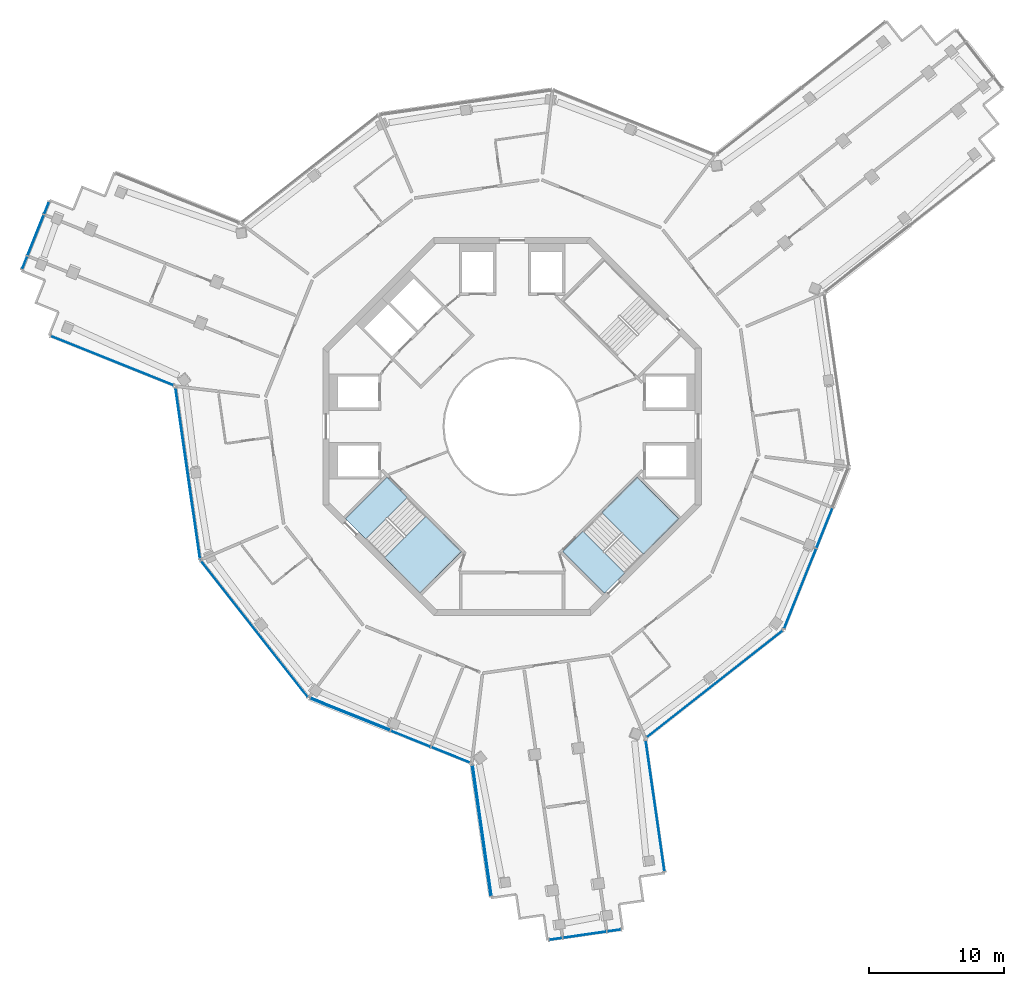
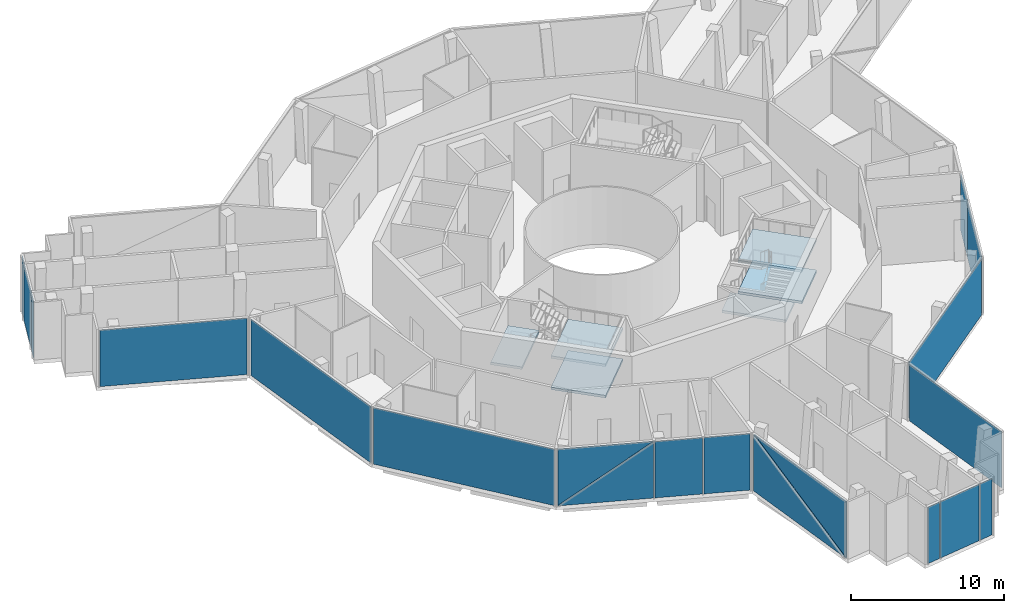
# One storey, part 7 of 19: 19 plates, 6 slabs, 12 elements without a shape of their own.
"""IFC4 building model written with IfcOpenShell, lengths in metres."""

from ifc_helpers import new_model, si_unit, direction, frame, origin, origin_2d, place, context, subcontext, project, spatial, polyline, rectangle, outline, extrude, material, layer, layer_set, type_object, element, aggregate, save


model = new_model("IFC4")

# Units and contexts
model_context = context("Model", 3, precision=1e-05, world=origin(), true_north=direction((0.0, 1.0)))
body_context = subcontext(model_context, "Body", "Model", "MODEL_VIEW")
ifc_project = project(units=[si_unit("LENGTHUNIT", "METRE"), si_unit("AREAUNIT", "SQUARE_METRE"), si_unit("VOLUMEUNIT", "CUBIC_METRE"), si_unit("PLANEANGLEUNIT", "RADIAN"), si_unit("MASSUNIT", "GRAM", prefix="KILO")], contexts=[model_context])

# Site, building, storey
site_placement = place(None, origin())
site = spatial("IfcSite", under=ifc_project, at=site_placement, CompositionType="ELEMENT")
building_placement = place(site_placement, origin())
building = spatial("IfcBuilding", under=site, at=building_placement, Name="Verdalira Terraces Hotel", CompositionType="ELEMENT")
storey_placement = place(building_placement, frame((0.0, 0.0, 310.0)))
storey = spatial("IfcBuildingStorey", under=building, at=storey_placement, Name="L77", CompositionType="ELEMENT", Elevation=310.0)

# Curtain wall, plates
ifc_material_1 = material(Name="Clear glass", Category="glass")
ifc_layer_1 = layer(ifc_material_1, 0.280029296875)
ifc_layer_set_1 = layer_set([ifc_layer_1], Name="CW6 curtain wall")
curtain_wall_type = type_object("IfcCurtainWallType", Name="CW6 curtain wall", PredefinedType="NOTDEFINED", material=ifc_layer_set_1)
curtain_wall_1_placement = place(storey_placement, origin())
curtain_wall_1 = element("IfcCurtainWall", 1, at=curtain_wall_1_placement, inside=storey, type_object=curtain_wall_type, Name="CW6 curtain wall L77 edge 5", PredefinedType="NOTDEFINED")
ifc_material_2 = material(Name="Clear glass", Category="glass")
ifc_layer_2 = layer(ifc_material_2, 0.050048828125)
ifc_layer_set_2 = layer_set([ifc_layer_2], Name="CW6 glass unit 50")
plate_type = type_object("IfcPlateType", Name="CW6 glass unit 50", PredefinedType="CURTAIN_PANEL", material=ifc_layer_set_2)
plate_1_placement = place(storey_placement, frame((-34.448242, 16.166504, 0.0), z_axis=(0.0, 0.0, 1.0), x_axis=(-0.37201595, -0.928226337, 0.0)))
plate_1 = element("IfcPlate", 2, at=plate_1_placement, type_object=plate_type, Name="CW6 glass unit", PredefinedType="CURTAIN_PANEL", context=body_context, shape_type="SweptSolid", body=[
    extrude(rectangle(XDim=0.958252, YDim=0.050049, at=origin_2d()), origin(), (0.0, 0.0, 1.0), 4.51001),
])
plate_2_placement = place(storey_placement, frame((-35.254883, 14.154053, 0.0), z_axis=(0.0, 0.0, 1.0), x_axis=(-0.37201595, -0.928226337, 0.0)))
plate_2 = element("IfcPlate", 3, at=plate_2_placement, type_object=plate_type, Name="CW6 glass unit", PredefinedType="CURTAIN_PANEL", context=body_context, shape_type="SweptSolid", body=[
    extrude(rectangle(XDim=3.217773, YDim=0.050049, at=origin_2d()), origin(), (0.0, 0.0, 1.0), 4.51001),
])
plate_3_placement = place(storey_placement, frame((-36.069824, 12.120605, 0.0), z_axis=(0.0, 0.0, 1.0), x_axis=(-0.37201595, -0.928226337, 0.0)))
plate_3 = element("IfcPlate", 4, at=plate_3_placement, type_object=plate_type, Name="CW6 glass unit", PredefinedType="CURTAIN_PANEL", context=body_context, shape_type="SweptSolid", body=[
    extrude(rectangle(XDim=1.00415, YDim=0.050049, at=origin_2d()), origin(), (0.0, 0.0, 1.0), 4.51001),
])
aggregate(curtain_wall_1, [plate_1, plate_2, plate_3])

# Curtain wall, plate
curtain_wall_2_placement = place(storey_placement, origin())
curtain_wall_2 = element("IfcCurtainWall", 5, at=curtain_wall_2_placement, inside=storey, type_object=curtain_wall_type, Name="CW6 curtain wall L77 edge 10", PredefinedType="NOTDEFINED")
plate_4_placement = place(storey_placement, frame((-29.60376, 4.872803, 0.0), z_axis=(0.0, 0.0, 1.0), x_axis=(0.928226337, -0.37201595, 0.0)))
plate_4 = element("IfcPlate", 6, at=plate_4_placement, type_object=plate_type, Name="CW6 glass unit", PredefinedType="CURTAIN_PANEL", context=body_context, shape_type="SweptSolid", body=[
    extrude(rectangle(XDim=9.756592, YDim=0.050049, at=origin_2d()), origin(), (0.0, 0.0, 1.0), 4.51001),
])
aggregate(curtain_wall_2, [plate_4])

curtain_wall_3_placement = place(storey_placement, origin())
curtain_wall_3 = element("IfcCurtainWall", 7, at=curtain_wall_3_placement, inside=storey, type_object=curtain_wall_type, Name="CW6 curtain wall L77 edge 11", PredefinedType="NOTDEFINED")
plate_5_placement = place(storey_placement, frame((-24.000244, -3.458984, 0.0), z_axis=(0.0, 0.0, 1.0), x_axis=(0.141937905, -0.989875563, 0.0)))
plate_5 = element("IfcPlate", 8, at=plate_5_placement, type_object=plate_type, Name="CW6 glass unit", PredefinedType="CURTAIN_PANEL", context=body_context, shape_type="SweptSolid", body=[
    extrude(rectangle(XDim=12.724854, YDim=0.050049, at=origin_2d()), origin(), (0.0, 0.0, 1.0), 4.51001),
])
aggregate(curtain_wall_3, [plate_5])

curtain_wall_4_placement = place(storey_placement, origin())
curtain_wall_4 = element("IfcCurtainWall", 9, at=curtain_wall_4_placement, inside=storey, type_object=curtain_wall_type, Name="CW6 curtain wall L77 edge 12", PredefinedType="NOTDEFINED")
plate_6_placement = place(storey_placement, frame((-19.066162, -14.982178, 0.0), z_axis=(0.0, 0.0, 1.0), x_axis=(0.617859613, -0.786288432, 0.0)))
plate_6 = element("IfcPlate", 10, at=plate_6_placement, type_object=plate_type, Name="CW6 glass unit", PredefinedType="CURTAIN_PANEL", context=body_context, shape_type="SweptSolid", body=[
    extrude(rectangle(XDim=12.759521, YDim=0.050049, at=origin_2d()), origin(), (0.0, 0.0, 1.0), 4.51001),
])
aggregate(curtain_wall_4, [plate_6])

# Curtain wall, plates
curtain_wall_5_placement = place(storey_placement, origin())
curtain_wall_5 = element("IfcCurtainWall", 11, at=curtain_wall_5_placement, inside=storey, type_object=curtain_wall_type, Name="CW6 curtain wall L77 edge 13", PredefinedType="NOTDEFINED")
plate_7_placement = place(storey_placement, frame((-11.990967, -21.290527, 2.254883), z_axis=(-0.37201595, -0.928226337, 0.0), x_axis=(0.928226337, -0.37201595, 0.0)))
plate_7 = element("IfcPlate", 12, at=plate_7_placement, type_object=plate_type, Name="CW6 glass unit", PredefinedType="CURTAIN_PANEL", context=body_context, shape_type="SweptSolid", body=[
    extrude(outline(polyline([(-3.169922, -2.254883), (3.169922, -2.254883), (3.169922, 2.254883), (-3.169922, -2.254883)])), origin(), (0.0, 0.0, 1.0), 0.050049),
])
plate_8_placement = place(storey_placement, frame((-11.971924, -21.243164, 2.254883), z_axis=(-0.37201595, -0.928226337, 0.0), x_axis=(0.928226337, -0.37201595, 0.0)))
plate_8 = element("IfcPlate", 13, at=plate_8_placement, type_object=plate_type, Name="CW6 glass unit", PredefinedType="CURTAIN_PANEL", context=body_context, shape_type="SweptSolid", body=[
    extrude(outline(polyline([(-3.169922, -2.254883), (3.169922, 2.254883), (-3.169922, 2.254883), (-3.169922, -2.254883)])), origin(), (0.0, 0.0, 1.0), 0.050049),
])
plate_9_placement = place(storey_placement, frame((-7.512451, -23.112549, 0.0), z_axis=(0.0, 0.0, 1.0), x_axis=(0.928226337, -0.37201595, 0.0)))
plate_9 = element("IfcPlate", 14, at=plate_9_placement, type_object=plate_type, Name="CW6 glass unit", PredefinedType="CURTAIN_PANEL", context=body_context, shape_type="SweptSolid", body=[
    extrude(rectangle(XDim=3.169922, YDim=0.050049, at=origin_2d()), origin(), (0.0, 0.0, 1.0), 4.51001),
])
plate_10_placement = place(storey_placement, frame((-4.549072, -24.300049, 0.0), z_axis=(0.0, 0.0, 1.0), x_axis=(0.928226337, -0.37201595, 0.0)))
plate_10 = element("IfcPlate", 15, at=plate_10_placement, type_object=plate_type, Name="CW6 glass unit", PredefinedType="CURTAIN_PANEL", context=body_context, shape_type="SweptSolid", body=[
    extrude(rectangle(XDim=3.054932, YDim=0.050049, at=origin_2d()), origin(), (0.0, 0.0, 1.0), 4.51001),
])
aggregate(curtain_wall_5, [plate_7, plate_8, plate_9, plate_10])

curtain_wall_6_placement = place(storey_placement, origin())
curtain_wall_6 = element("IfcCurtainWall", 16, at=curtain_wall_6_placement, inside=storey, type_object=curtain_wall_type, Name="CW6 curtain wall L77 edge 14", PredefinedType="NOTDEFINED")
plate_11_placement = place(storey_placement, frame((-2.241943, -29.912598, 2.254883), z_axis=(-0.989875563, -0.141937905, 0.0), x_axis=(0.141937905, -0.989875563, 0.0)))
plate_11 = element("IfcPlate", 17, at=plate_11_placement, type_object=plate_type, Name="CW6 glass unit", PredefinedType="CURTAIN_PANEL", context=body_context, shape_type="SweptSolid", body=[
    extrude(outline(polyline([(-4.878418, -2.254883), (4.878418, -2.254883), (-4.878418, 2.254883), (-4.878418, -2.254883)])), origin(), (0.0, 0.0, 1.0), 0.050049),
])
plate_12_placement = place(storey_placement, frame((-2.191406, -29.905518, 2.254883), z_axis=(-0.989875563, -0.141937905, 0.0), x_axis=(0.141937905, -0.989875563, 0.0)))
plate_12 = element("IfcPlate", 18, at=plate_12_placement, type_object=plate_type, Name="CW6 glass unit", PredefinedType="CURTAIN_PANEL", context=body_context, shape_type="SweptSolid", body=[
    extrude(outline(polyline([(4.878418, -2.254883), (4.878418, 2.254883), (-4.878418, 2.254883), (4.878418, -2.254883)])), origin(), (0.0, 0.0, 1.0), 0.050049),
])
aggregate(curtain_wall_6, [plate_11, plate_12])

curtain_wall_7_placement = place(storey_placement, origin())
curtain_wall_7 = element("IfcCurtainWall", 19, at=curtain_wall_7_placement, inside=storey, type_object=curtain_wall_type, Name="CW6 curtain wall L77 edge 19", PredefinedType="NOTDEFINED")
plate_13_placement = place(storey_placement, frame((3.223389, -37.91626, 0.0), z_axis=(0.0, 0.0, 1.0), x_axis=(0.989875563, 0.141937905, 0.0)))
plate_13 = element("IfcPlate", 20, at=plate_13_placement, type_object=plate_type, Name="CW6 glass unit", PredefinedType="CURTAIN_PANEL", context=body_context, shape_type="SweptSolid", body=[
    extrude(rectangle(XDim=0.958252, YDim=0.050049, at=origin_2d()), origin(), (0.0, 0.0, 1.0), 4.51001),
])
plate_14_placement = place(storey_placement, frame((5.369629, -37.608643, 0.0), z_axis=(0.0, 0.0, 1.0), x_axis=(0.989875563, 0.141937905, 0.0)))
plate_14 = element("IfcPlate", 21, at=plate_14_placement, type_object=plate_type, Name="CW6 glass unit", PredefinedType="CURTAIN_PANEL", context=body_context, shape_type="SweptSolid", body=[
    extrude(rectangle(XDim=3.217773, YDim=0.050049, at=origin_2d()), origin(), (0.0, 0.0, 1.0), 4.51001),
])
plate_15_placement = place(storey_placement, frame((7.53833, -37.297607, 0.0), z_axis=(0.0, 0.0, 1.0), x_axis=(0.989875563, 0.141937905, 0.0)))
plate_15 = element("IfcPlate", 22, at=plate_15_placement, type_object=plate_type, Name="CW6 glass unit", PredefinedType="CURTAIN_PANEL", context=body_context, shape_type="SweptSolid", body=[
    extrude(rectangle(XDim=1.00415, YDim=0.050049, at=origin_2d()), origin(), (0.0, 0.0, 1.0), 4.51001),
])
aggregate(curtain_wall_7, [plate_13, plate_14, plate_15])

# Curtain wall, plate
curtain_wall_8_placement = place(storey_placement, origin())
curtain_wall_8 = element("IfcCurtainWall", 23, at=curtain_wall_8_placement, inside=storey, type_object=curtain_wall_type, Name="CW6 curtain wall L77 edge 24", PredefinedType="NOTDEFINED")
plate_16_placement = place(storey_placement, frame((10.581787, -28.073975, 0.0), z_axis=(0.0, 0.0, 1.0), x_axis=(-0.141937905, 0.989875563, 0.0)))
plate_16 = element("IfcPlate", 24, at=plate_16_placement, type_object=plate_type, Name="CW6 glass unit", PredefinedType="CURTAIN_PANEL", context=body_context, shape_type="SweptSolid", body=[
    extrude(rectangle(XDim=9.756592, YDim=0.050049, at=origin_2d()), origin(), (0.0, 0.0, 1.0), 4.51001),
])
aggregate(curtain_wall_8, [plate_16])

curtain_wall_9_placement = place(storey_placement, origin())
curtain_wall_9 = element("IfcCurtainWall", 25, at=curtain_wall_9_placement, inside=storey, type_object=curtain_wall_type, Name="CW6 curtain wall L77 edge 25", PredefinedType="NOTDEFINED")
plate_17_placement = place(storey_placement, frame((14.99585, -19.05542, 0.0), z_axis=(0.0, 0.0, 1.0), x_axis=(0.786288432, 0.617859613, 0.0)))
plate_17 = element("IfcPlate", 26, at=plate_17_placement, type_object=plate_type, Name="CW6 glass unit", PredefinedType="CURTAIN_PANEL", context=body_context, shape_type="SweptSolid", body=[
    extrude(rectangle(XDim=12.724854, YDim=0.050049, at=origin_2d()), origin(), (0.0, 0.0, 1.0), 4.51001),
])
aggregate(curtain_wall_9, [plate_17])

# Curtain wall, plates
curtain_wall_10_placement = place(storey_placement, origin())
curtain_wall_10 = element("IfcCurtainWall", 27, at=curtain_wall_10_placement, inside=storey, type_object=curtain_wall_type, Name="CW6 curtain wall L77 edge 26", PredefinedType="NOTDEFINED")
plate_18_placement = place(storey_placement, frame((21.313721, -12.000244, 0.0), z_axis=(0.0, 0.0, 1.0), x_axis=(0.37201595, 0.928226337, 0.0)))
plate_18 = element("IfcPlate", 28, at=plate_18_placement, type_object=plate_type, Name="CW6 glass unit", PredefinedType="CURTAIN_PANEL", context=body_context, shape_type="SweptSolid", body=[
    extrude(rectangle(XDim=6.339844, YDim=0.050049, at=origin_2d()), origin(), (0.0, 0.0, 1.0), 4.51001),
])
plate_19_placement = place(storey_placement, frame((23.112549, -7.512451, 0.0), z_axis=(0.0, 0.0, 1.0), x_axis=(0.37201595, 0.928226337, 0.0)))
plate_19 = element("IfcPlate", 29, at=plate_19_placement, type_object=plate_type, Name="CW6 glass unit", PredefinedType="CURTAIN_PANEL", context=body_context, shape_type="SweptSolid", body=[
    extrude(rectangle(XDim=3.169922, YDim=0.050049, at=origin_2d()), origin(), (0.0, 0.0, 1.0), 4.51001),
])
aggregate(curtain_wall_10, [plate_18, plate_19])

# Stair, slabs
ifc_material_3 = material(Name="Concrete C40", Category="concrete")
stair_type = type_object("IfcStairType", Name="Core stair 32 risers 2125 mm wide", PredefinedType="HALF_TURN_STAIR", material=ifc_material_3)
stair_1_placement = place(storey_placement, origin())
stair_1 = element("IfcStair", 30, at=stair_1_placement, inside=storey, type_object=stair_type, Name="L77 Exit stair ST2", PredefinedType="HALF_TURN_STAIR")
ifc_material_4 = material(Name="Concrete C40", Category="concrete")
ifc_layer_3 = layer(ifc_material_4, 0.199951171875)
ifc_layer_set_3 = layer_set([ifc_layer_3], Name="Core stair landing 200 mm")
slab_type = type_object("IfcSlabType", Name="Core stair landing 200 mm", PredefinedType="LANDING", material=ifc_layer_set_3)
slab_1_placement = place(storey_placement, frame((0.0, 0.0, 1.050049)))
slab_1 = element("IfcSlab", 31, at=slab_1_placement, type_object=slab_type, Name="ST2 landing 1", PredefinedType="LANDING", context=body_context, shape_type="SweptSolid", body=[
    extrude(outline(polyline([(-9.450928, -9.71167), (-6.823486, -12.339111), (-3.747559, -9.263184), (-6.375, -6.635742), (-9.450928, -9.71167)])), origin(), (0.0, 0.0, 1.0), 0.199951),
])
slab_2_placement = place(storey_placement, frame((0.0, 0.0, 2.300049)))
slab_2 = element("IfcSlab", 32, at=slab_2_placement, type_object=slab_type, Name="ST2 landing 2", PredefinedType="LANDING", context=body_context, shape_type="SweptSolid", body=[
    extrude(outline(polyline([(-12.339111, -6.823486), (-10.835938, -8.326416), (-7.760254, -5.250732), (-9.263184, -3.747559), (-12.339111, -6.823486)])), origin(), (0.0, 0.0, 1.0), 0.199951),
])
slab_3_placement = place(storey_placement, frame((0.0, 0.0, 3.550049)))
slab_3 = element("IfcSlab", 33, at=slab_3_placement, type_object=slab_type, Name="ST2 landing 3", PredefinedType="LANDING", context=body_context, shape_type="SweptSolid", body=[
    extrude(outline(polyline([(-9.450928, -9.71167), (-6.823486, -12.339111), (-3.747559, -9.263184), (-6.375, -6.635742), (-9.450928, -9.71167)])), origin(), (0.0, 0.0, 1.0), 0.199951),
])
aggregate(stair_1, [slab_1, slab_2, slab_3])

stair_2_placement = place(storey_placement, origin())
stair_2 = element("IfcStair", 34, at=stair_2_placement, inside=storey, type_object=stair_type, Name="L77 Exit stair ST3", PredefinedType="HALF_TURN_STAIR")
slab_4_placement = place(storey_placement, frame((0.0, 0.0, 1.050049)))
slab_4 = element("IfcSlab", 35, at=slab_4_placement, type_object=slab_type, Name="ST3 landing 1", PredefinedType="LANDING", context=body_context, shape_type="SweptSolid", body=[
    extrude(outline(polyline([(9.71167, -9.450928), (12.339111, -6.823486), (9.263184, -3.747559), (6.635742, -6.375), (9.71167, -9.450928)])), origin(), (0.0, 0.0, 1.0), 0.199951),
])
slab_5_placement = place(storey_placement, frame((0.0, 0.0, 2.300049)))
slab_5 = element("IfcSlab", 36, at=slab_5_placement, type_object=slab_type, Name="ST3 landing 2", PredefinedType="LANDING", context=body_context, shape_type="SweptSolid", body=[
    extrude(outline(polyline([(6.823486, -12.339111), (8.326416, -10.835938), (5.250732, -7.760254), (3.747559, -9.263184), (6.823486, -12.339111)])), origin(), (0.0, 0.0, 1.0), 0.199951),
])
slab_6_placement = place(storey_placement, frame((0.0, 0.0, 3.550049)))
slab_6 = element("IfcSlab", 37, at=slab_6_placement, type_object=slab_type, Name="ST3 landing 3", PredefinedType="LANDING", context=body_context, shape_type="SweptSolid", body=[
    extrude(outline(polyline([(9.71167, -9.450928), (12.339111, -6.823486), (9.263184, -3.747559), (6.635742, -6.375), (9.71167, -9.450928)])), origin(), (0.0, 0.0, 1.0), 0.199951),
])
aggregate(stair_2, [slab_4, slab_5, slab_6])

save(model, "model.ifc")
